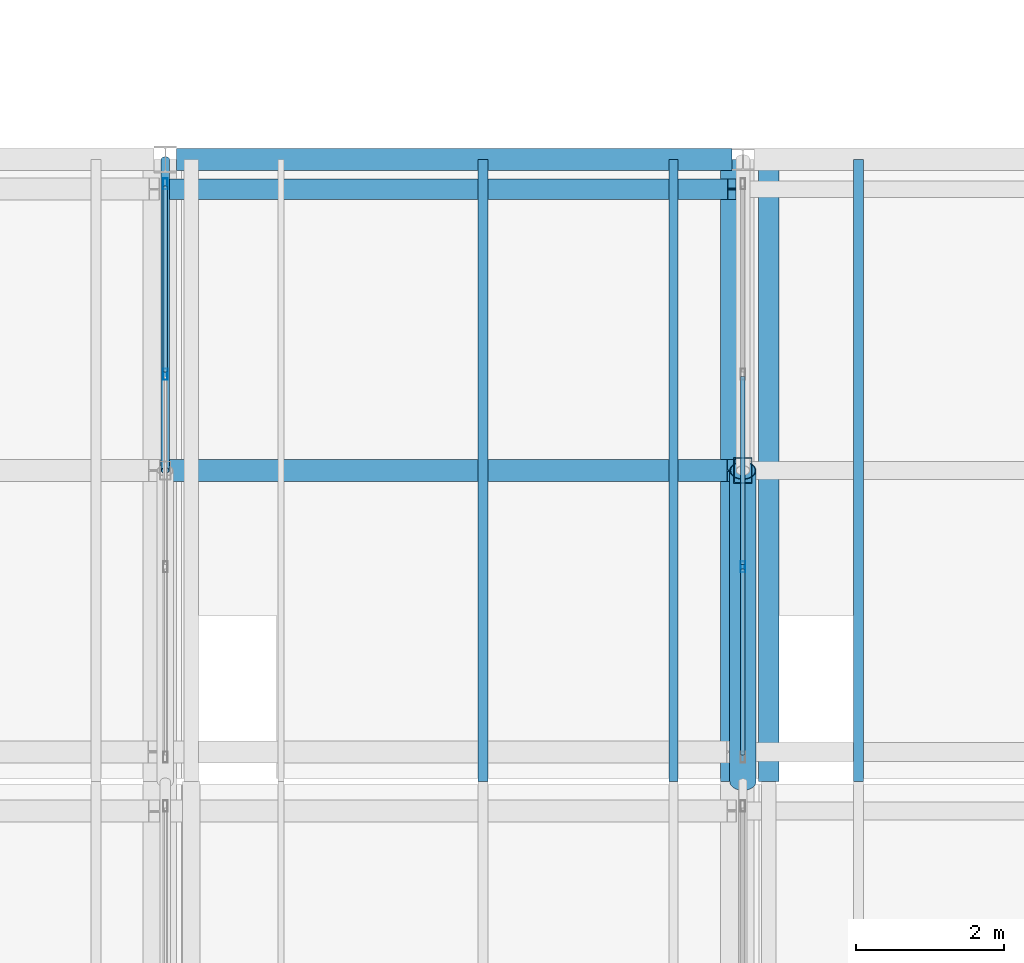
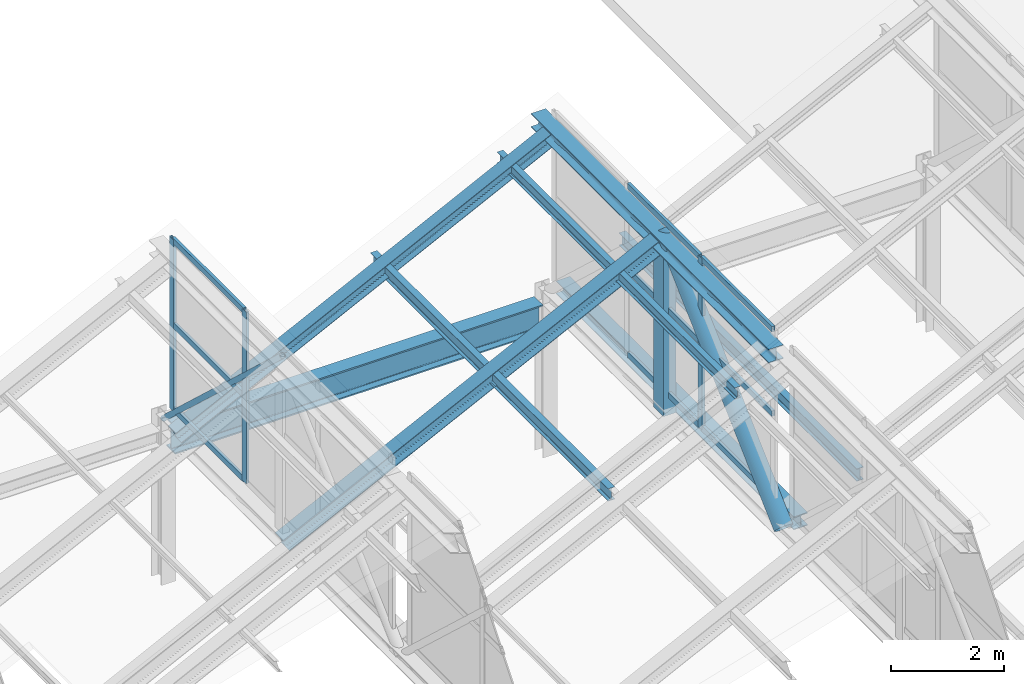
# One storey, part 42 of 101: 22 members, 1 beam, 2 elements without a shape of their own.
"""IFC4 building model written with IfcOpenShell, lengths in metres."""

from ifc_helpers import new_model, si_unit, direction, frame, origin, origin_2d, place, context, subcontext, project, spatial, hollow_rectangle, hollow_circle, i_section, extrude, material, layer, layer_set, material_profile, profile_set, type_object, element, aggregate, save


model = new_model("IFC4")

# Units and contexts
model_context = context("Model", 3, precision=1e-05, world=origin(), true_north=direction((0.0, 1.0)))
body_context = subcontext(model_context, "Body", "Model", "MODEL_VIEW")
ifc_project = project(units=[si_unit("LENGTHUNIT", "METRE"), si_unit("AREAUNIT", "SQUARE_METRE"), si_unit("VOLUMEUNIT", "CUBIC_METRE"), si_unit("PLANEANGLEUNIT", "RADIAN"), si_unit("MASSUNIT", "GRAM", prefix="KILO")], contexts=[model_context])

# Site, building, storey
site_placement = place(None, origin())
site = spatial("IfcSite", under=ifc_project, at=site_placement, CompositionType="ELEMENT")
building_placement = place(site_placement, origin())
building = spatial("IfcBuilding", under=site, at=building_placement, Name="Zizhar Promenade General Hospital", CompositionType="ELEMENT")
storey_placement = place(building_placement, frame((0.0, 0.0, 14.39990234375)))
storey = spatial("IfcBuildingStorey", under=building, at=storey_placement, Name="L03", CompositionType="ELEMENT", Elevation=14.39990234375)

# Beam
ifc_material_1 = material(Name="Steel S355", Category="steel")
ifc_material_profile_1 = material_profile(ifc_material_1, i_section(OverallWidth=0.300048828125, OverallDepth=0.60009765625, WebThickness=0.015380859375, FlangeThickness=0.030029296875, FilletRadius=0.027099609375, at=origin_2d()))
ifc_profile_set_1 = profile_set([ifc_material_profile_1], Name="Steel S355")
beam_type = type_object("IfcBeamType", Name="BM-STL-HEB600", PredefinedType="BEAM", material=ifc_profile_set_1)
beam_placement = place(storey_placement, frame((109.35009765625, 50.39990234375, 3.010009765625), z_axis=(1.0, 0.0, 0.0), x_axis=(0.0, 1.0, 0.0)))
element("IfcBeam", 1, at=beam_placement, inside=storey, type_object=beam_type, Name="Grid Beam X L03 (14-6)", PredefinedType="BEAM", context=body_context, shape_type="SweptSolid", body=[
    extrude(i_section(OverallWidth=0.300048828125, OverallDepth=0.60009765625, WebThickness=0.015380859375, FlangeThickness=0.030029296875, FilletRadius=0.027099609375, at=origin_2d()), origin(), (0.0, 0.0, 1.0), 7.5),
])

# Curtain wall, members
ifc_material_2 = material(Name="Anodised aluminium 6063-T6 and low-E glass", Category="aluminium")
ifc_layer = layer(ifc_material_2, 0.159912109375)
ifc_layer_set = layer_set([ifc_layer], Name="Anodised aluminium 6063-T6 and low-E glass")
curtain_wall_type = type_object("IfcCurtainWallType", Name="CW-SAW-NL3", PredefinedType="NOTDEFINED", material=ifc_layer_set)
curtain_wall_1_placement = place(storey_placement, origin())
curtain_wall_1 = element("IfcCurtainWall", 2, at=curtain_wall_1_placement, inside=storey, type_object=curtain_wall_type, Name="Sawtooth Clerestory Light B5-S3", PredefinedType="NOTDEFINED")
ifc_material_3 = material(Name="Anodised aluminium 6063-T6", Category="aluminium")
ifc_material_profile_2 = material_profile(ifc_material_3, hollow_rectangle(XDim=0.06005859375, YDim=0.14990234375, WallThickness=0.00390625, at=origin_2d()))
ifc_profile_set_2 = profile_set([ifc_material_profile_2], Name="Anodised aluminium 6063-T6")
member_type_1 = type_object("IfcMemberType", Name="CWM-ALU-150x60", PredefinedType="MULLION", material=ifc_profile_set_2)
member_1_placement = place(storey_placement, frame((109.199951171875, 47.5, 3.85009765625), z_axis=(0.0, 0.0, 1.0), x_axis=(-1.0, 0.0, 0.0)))
member_1 = element("IfcMember", 3, at=member_1_placement, type_object=member_type_1, Name="CW-05 mullion 3", PredefinedType="MULLION", context=body_context, shape_type="SweptSolid", body=[
    extrude(hollow_rectangle(XDim=0.06005859375, YDim=0.14990234375, WallThickness=0.00390625, at=origin_2d()), origin(), (0.0, 0.0, 1.0), 3.699951171875),
])
member_2_placement = place(storey_placement, frame((109.199951171875, 50.070068359375, 3.85009765625), z_axis=(0.0, 0.0, 1.0), x_axis=(-1.0, 0.0, 0.0)))
member_2 = element("IfcMember", 4, at=member_2_placement, type_object=member_type_1, Name="CW-05 mullion 4", PredefinedType="MULLION", context=body_context, shape_type="SweptSolid", body=[
    extrude(hollow_rectangle(XDim=0.06005859375, YDim=0.14990234375, WallThickness=0.00390625, at=origin_2d()), origin(), (0.0, 0.0, 1.0), 3.699951171875),
])

# Curtain wall, member
curtain_wall_2_placement = place(storey_placement, origin())
curtain_wall_2 = element("IfcCurtainWall", 5, at=curtain_wall_2_placement, inside=storey, type_object=curtain_wall_type, Name="Sawtooth Clerestory Light B6-S3", PredefinedType="NOTDEFINED")
member_3_placement = place(storey_placement, frame((117.0, 44.89990234375, 3.85009765625), z_axis=(0.0, 0.0, 1.0), x_axis=(-1.0, 0.0, 0.0)))
member_3 = element("IfcMember", 6, at=member_3_placement, type_object=member_type_1, Name="CW-05 mullion 2", PredefinedType="MULLION", context=body_context, shape_type="SweptSolid", body=[
    extrude(hollow_rectangle(XDim=0.06005859375, YDim=0.14990234375, WallThickness=0.00390625, at=origin_2d()), origin(), (0.0, 0.0, 1.0), 3.699951171875),
])

# Member
ifc_material_4 = material(Name="Anodised aluminium 6063-T6", Category="aluminium")
ifc_material_profile_3 = material_profile(ifc_material_4, hollow_rectangle(XDim=0.06005859375, YDim=0.1201171875, WallThickness=0.00390625, at=origin_2d()))
ifc_profile_set_3 = profile_set([ifc_material_profile_3], Name="Anodised aluminium 6063-T6")
member_type_2 = type_object("IfcMemberType", Name="CWT-ALU-120x60", PredefinedType="USERDEFINED", material=ifc_profile_set_3)
member_4_placement = place(storey_placement, frame((109.199951171875, 47.530029296875, 3.880126953125), z_axis=(0.0, 1.0, 0.0), x_axis=(-1.0, 0.0, 0.0)))
member_4 = element("IfcMember", 7, at=member_4_placement, type_object=member_type_2, Name="CW-05 transom 3.1", ObjectType="TRANSOM", PredefinedType="USERDEFINED", context=body_context, shape_type="SweptSolid", body=[
    extrude(hollow_rectangle(XDim=0.06005859375, YDim=0.1201171875, WallThickness=0.00390625, at=origin_2d()), origin(), (0.0, 0.0, 1.0), 2.510009765625),
])

member_5_placement = place(storey_placement, frame((109.199951171875, 47.530029296875, 5.7001953125), z_axis=(0.0, 1.0, 0.0), x_axis=(-1.0, 0.0, 0.0)))
member_5 = element("IfcMember", 8, at=member_5_placement, type_object=member_type_2, Name="CW-05 transom 3.2", ObjectType="TRANSOM", PredefinedType="USERDEFINED", context=body_context, shape_type="SweptSolid", body=[
    extrude(hollow_rectangle(XDim=0.06005859375, YDim=0.1201171875, WallThickness=0.00390625, at=origin_2d()), origin(), (0.0, 0.0, 1.0), 2.510009765625),
])

member_6_placement = place(storey_placement, frame((109.199951171875, 47.530029296875, 7.52001953125), z_axis=(0.0, 1.0, 0.0), x_axis=(-1.0, 0.0, 0.0)))
member_6 = element("IfcMember", 9, at=member_6_placement, type_object=member_type_2, Name="CW-05 transom 3.3", ObjectType="TRANSOM", PredefinedType="USERDEFINED", context=body_context, shape_type="SweptSolid", body=[
    extrude(hollow_rectangle(XDim=0.06005859375, YDim=0.1201171875, WallThickness=0.00390625, at=origin_2d()), origin(), (0.0, 0.0, 1.0), 2.510009765625),
])

aggregate(curtain_wall_1, [member_1, member_2, member_4, member_5, member_6])

member_7_placement = place(storey_placement, frame((117.0, 42.360107421875, 3.880126953125), z_axis=(0.0, 1.0, 0.0), x_axis=(-1.0, 0.0, 0.0)))
member_7 = element("IfcMember", 10, at=member_7_placement, type_object=member_type_2, Name="CW-05 transom 1.1", ObjectType="TRANSOM", PredefinedType="USERDEFINED", context=body_context, shape_type="SweptSolid", body=[
    extrude(hollow_rectangle(XDim=0.06005859375, YDim=0.1201171875, WallThickness=0.00390625, at=origin_2d()), origin(), (0.0, 0.0, 1.0), 2.510009765625),
])

member_8_placement = place(storey_placement, frame((117.0, 42.360107421875, 5.7001953125), z_axis=(0.0, 1.0, 0.0), x_axis=(-1.0, 0.0, 0.0)))
member_8 = element("IfcMember", 11, at=member_8_placement, type_object=member_type_2, Name="CW-05 transom 1.2", ObjectType="TRANSOM", PredefinedType="USERDEFINED", context=body_context, shape_type="SweptSolid", body=[
    extrude(hollow_rectangle(XDim=0.06005859375, YDim=0.1201171875, WallThickness=0.00390625, at=origin_2d()), origin(), (0.0, 0.0, 1.0), 2.510009765625),
])

member_9_placement = place(storey_placement, frame((117.0, 42.360107421875, 7.52001953125), z_axis=(0.0, 1.0, 0.0), x_axis=(-1.0, 0.0, 0.0)))
member_9 = element("IfcMember", 12, at=member_9_placement, type_object=member_type_2, Name="CW-05 transom 1.3", ObjectType="TRANSOM", PredefinedType="USERDEFINED", context=body_context, shape_type="SweptSolid", body=[
    extrude(hollow_rectangle(XDim=0.06005859375, YDim=0.1201171875, WallThickness=0.00390625, at=origin_2d()), origin(), (0.0, 0.0, 1.0), 2.510009765625),
])

member_10_placement = place(storey_placement, frame((117.0, 44.929931640625, 3.880126953125), z_axis=(0.0, 1.0, 0.0), x_axis=(-1.0, 0.0, 0.0)))
member_10 = element("IfcMember", 13, at=member_10_placement, type_object=member_type_2, Name="CW-05 transom 2.1", ObjectType="TRANSOM", PredefinedType="USERDEFINED", context=body_context, shape_type="SweptSolid", body=[
    extrude(hollow_rectangle(XDim=0.06005859375, YDim=0.1201171875, WallThickness=0.00390625, at=origin_2d()), origin(), (0.0, 0.0, 1.0), 2.5400390625),
])

member_11_placement = place(storey_placement, frame((117.0, 44.929931640625, 5.7001953125), z_axis=(0.0, 1.0, 0.0), x_axis=(-1.0, 0.0, 0.0)))
member_11 = element("IfcMember", 14, at=member_11_placement, type_object=member_type_2, Name="CW-05 transom 2.2", ObjectType="TRANSOM", PredefinedType="USERDEFINED", context=body_context, shape_type="SweptSolid", body=[
    extrude(hollow_rectangle(XDim=0.06005859375, YDim=0.1201171875, WallThickness=0.00390625, at=origin_2d()), origin(), (0.0, 0.0, 1.0), 2.5400390625),
])

member_12_placement = place(storey_placement, frame((117.0, 44.929931640625, 7.52001953125), z_axis=(0.0, 1.0, 0.0), x_axis=(-1.0, 0.0, 0.0)))
member_12 = element("IfcMember", 15, at=member_12_placement, type_object=member_type_2, Name="CW-05 transom 2.3", ObjectType="TRANSOM", PredefinedType="USERDEFINED", context=body_context, shape_type="SweptSolid", body=[
    extrude(hollow_rectangle(XDim=0.06005859375, YDim=0.1201171875, WallThickness=0.00390625, at=origin_2d()), origin(), (0.0, 0.0, 1.0), 2.5400390625),
])

aggregate(curtain_wall_2, [member_3, member_7, member_8, member_9, member_10, member_11, member_12])

# Members
ifc_material_5 = material(Name="Steel S355", Category="steel")
ifc_material_profile_4 = material_profile(ifc_material_5, hollow_circle(Radius=0.05712890625, WallThickness=0.00634765625, at=origin_2d()))
ifc_profile_set_4 = profile_set([ifc_material_profile_4], Name="Steel S355")
member_type_3 = type_object("IfcMemberType", Name="MEM-BRACE-CHS114", PredefinedType="BRACE", material=ifc_profile_set_4)
member_13_placement = place(storey_placement, frame((109.199951171875, 50.39990234375, 3.4501953125), z_axis=(0.0, -0.732798043082, 0.680446197767), x_axis=(1.0, 0.0, 0.0)))
element("IfcMember", 16, at=member_13_placement, inside=storey, type_object=member_type_3, Name="Sawtooth Truss Frame 6 Diagonal B3", PredefinedType="BRACE", context=body_context, shape_type="SweptSolid", body=[
    extrude(hollow_circle(Radius=0.05712890625, WallThickness=0.00634765625, at=origin_2d()), origin(), (0.0, 0.0, 1.0), 5.7314453125),
])
ifc_material_6 = material(Name="Steel S355", Category="steel")
ifc_material_profile_5 = material_profile(ifc_material_6, i_section(OverallWidth=0.280029296875, OverallDepth=0.280029296875, WebThickness=0.010498046875, FlangeThickness=0.01806640625, FilletRadius=0.02392578125, at=origin_2d()))
ifc_profile_set_5 = profile_set([ifc_material_profile_5], Name="Steel S355")
member_type_4 = type_object("IfcMemberType", Name="MEM-CHORD-HEB280", PredefinedType="CHORD", material=ifc_profile_set_5)
member_14_placement = place(storey_placement, frame((117.35009765625, 42.0, 3.47021484375), z_axis=(0.0, 1.0, 0.0), x_axis=(-1.0, 0.0, 0.0)))
element("IfcMember", 17, at=member_14_placement, inside=storey, type_object=member_type_4, Name="Sawtooth Bay 7 Valley Tie 3", PredefinedType="CHORD", context=body_context, shape_type="SweptSolid", body=[
    extrude(i_section(OverallWidth=0.280029296875, OverallDepth=0.280029296875, WebThickness=0.010498046875, FlangeThickness=0.01806640625, FilletRadius=0.02392578125, at=origin_2d()), origin(), (0.0, 0.0, 1.0), 8.39990234375),
])
ifc_material_7 = material(Name="Steel S355", Category="steel")
ifc_material_profile_6 = material_profile(ifc_material_7, i_section(OverallWidth=0.300048828125, OverallDepth=0.300048828125, WebThickness=0.010986328125, FlangeThickness=0.01904296875, FilletRadius=0.027099609375, at=origin_2d()))
ifc_profile_set_6 = profile_set([ifc_material_profile_6], Name="Steel S355")
member_type_5 = type_object("IfcMemberType", Name="MEM-CHORD-HEB300", PredefinedType="CHORD", material=ifc_profile_set_6)
member_15_placement = place(storey_placement, frame((116.85009765625, 42.0, 7.25), z_axis=(0.0, 1.0, 0.0), x_axis=(-1.0, 0.0, 0.0)))
element("IfcMember", 18, at=member_15_placement, inside=storey, type_object=member_type_5, Name="Sawtooth Bay 6 Ridge Chord 3", PredefinedType="CHORD", context=body_context, shape_type="SweptSolid", body=[
    extrude(i_section(OverallWidth=0.300048828125, OverallDepth=0.300048828125, WebThickness=0.010986328125, FlangeThickness=0.01904296875, FilletRadius=0.027099609375, at=origin_2d()), origin(), (0.0, 0.0, 1.0), 8.39990234375),
])
ifc_material_8 = material(Name="Steel S355", Category="steel")
ifc_material_profile_7 = material_profile(ifc_material_8, hollow_circle(Radius=0.177734375, WallThickness=0.012451171875, at=origin_2d()))
ifc_profile_set_7 = profile_set([ifc_material_profile_7], Name="Steel S355")
member_type_6 = type_object("IfcMemberType", Name="MEM-DIAG-CHS356", PredefinedType="BRACE", material=ifc_profile_set_7)
member_16_placement = place(storey_placement, frame((117.0, 42.0, 3.4501953125), z_axis=(0.0, 0.732798043082, 0.680446197767), x_axis=(-1.0, 0.0, 0.0)))
element("IfcMember", 19, at=member_16_placement, inside=storey, type_object=member_type_6, Name="Sawtooth Truss Frame 7 Diagonal A3", PredefinedType="BRACE", context=body_context, shape_type="SweptSolid", body=[
    extrude(hollow_circle(Radius=0.177734375, WallThickness=0.012451171875, at=origin_2d()), origin(), (0.0, 0.0, 1.0), 5.7314453125),
])
ifc_material_9 = material(Name="Steel S355", Category="steel")
ifc_material_profile_8 = material_profile(ifc_material_9, i_section(OverallWidth=0.1201171875, OverallDepth=0.239990234375, WebThickness=0.006103515625, FlangeThickness=0.009765625, FilletRadius=0.014892578125, at=origin_2d()))
ifc_profile_set_8 = profile_set([ifc_material_profile_8], Name="Steel S355")
member_type_7 = type_object("IfcMemberType", Name="MEM-PURL-IPE240", PredefinedType="PURLIN", material=ifc_profile_set_8)
member_17_placement = place(storey_placement, frame((116.06396484375, 42.0, 6.695068359375), z_axis=(0.0, 1.0, 0.0), x_axis=(-1.0, 0.0, 0.0)))
element("IfcMember", 20, at=member_17_placement, inside=storey, type_object=member_type_7, Name="Sawtooth Bay 6 Purlin 3-3", PredefinedType="PURLIN", context=body_context, shape_type="SweptSolid", body=[
    extrude(i_section(OverallWidth=0.1201171875, OverallDepth=0.239990234375, WebThickness=0.006103515625, FlangeThickness=0.009765625, FilletRadius=0.014892578125, at=origin_2d()), origin(), (0.0, 0.0, 1.0), 8.39990234375),
])
ifc_material_10 = material(Name="Steel S355", Category="steel")
ifc_material_profile_9 = material_profile(ifc_material_10, i_section(OverallWidth=0.135009765625, OverallDepth=0.27001953125, WebThickness=0.006591796875, FlangeThickness=0.01025390625, FilletRadius=0.014892578125, at=origin_2d()))
ifc_profile_set_9 = profile_set([ifc_material_profile_9], Name="Steel S355")
member_type_8 = type_object("IfcMemberType", Name="MEM-PURL-IPE270", PredefinedType="PURLIN", material=ifc_profile_set_9)
for number, where, z_axis, x_axis, name in (
    (21, (113.489990234375, 42.0, 5.40966796875), (0.0, 1.0, 0.0), (-1.0, 0.0, 0.0), "Sawtooth Bay 6 Purlin 3-2"),
    (22, (118.56005859375, 42.0, 4.06201171875), (0.0, 1.0, 0.0), (-1.0, 0.0, 0.0), "Sawtooth Bay 7 Purlin 3-1"),
):
    element("IfcMember", number, at=place(storey_placement, frame(where, z_axis=z_axis, x_axis=x_axis)), inside=storey, type_object=member_type_8, Name=name, PredefinedType="PURLIN", context=body_context, shape_type="SweptSolid", body=[
        extrude(i_section(OverallWidth=0.135009765625, OverallDepth=0.27001953125, WebThickness=0.006591796875, FlangeThickness=0.01025390625, FilletRadius=0.014892578125, at=origin_2d()), origin(), (0.0, 0.0, 1.0), 8.39990234375),
    ])
ifc_material_11 = material(Name="Steel S355", Category="steel")
ifc_material_profile_10 = material_profile(ifc_material_11, i_section(OverallWidth=0.280029296875, OverallDepth=0.27001953125, WebThickness=0.008056640625, FlangeThickness=0.012939453125, FilletRadius=0.02392578125, at=origin_2d()))
ifc_profile_set_10 = profile_set([ifc_material_profile_10], Name="Steel S355")
member_type_9 = type_object("IfcMemberType", Name="MEM-RAFT-HEA280", PredefinedType="RAFTER", material=ifc_profile_set_10)
member_18_placement = place(storey_placement, frame((109.199951171875, 50.0, 3.3427734375), z_axis=(0.896721845806, 0.0, 0.442594544989), x_axis=(0.0, 1.0, 0.0)))
element("IfcMember", 23, at=member_18_placement, inside=storey, type_object=member_type_9, Name="Sawtooth Bay 6 Rafter 3-3", PredefinedType="RAFTER", context=body_context, shape_type="SweptSolid", body=[
    extrude(i_section(OverallWidth=0.280029296875, OverallDepth=0.27001953125, WebThickness=0.008056640625, FlangeThickness=0.012939453125, FilletRadius=0.02392578125, at=origin_2d()), origin(), (0.0, 0.0, 1.0), 8.53125),
])
ifc_material_12 = material(Name="Steel S355", Category="steel")
ifc_material_profile_11 = material_profile(ifc_material_12, i_section(OverallWidth=0.300048828125, OverallDepth=0.2900390625, WebThickness=0.008544921875, FlangeThickness=0.013916015625, FilletRadius=0.027099609375, at=origin_2d()))
ifc_profile_set_11 = profile_set([ifc_material_profile_11], Name="Steel S355")
member_type_10 = type_object("IfcMemberType", Name="MEM-RAFT-HEA300", PredefinedType="RAFTER", material=ifc_profile_set_11)
member_19_placement = place(storey_placement, frame((109.199951171875, 46.199951171875, 3.33154296875), z_axis=(0.896721845806, 0.0, 0.442594544989), x_axis=(0.0, 1.0, 0.0)))
element("IfcMember", 24, at=member_19_placement, inside=storey, type_object=member_type_10, Name="Sawtooth Bay 6 Rafter 3-2", PredefinedType="RAFTER", context=body_context, shape_type="SweptSolid", body=[
    extrude(i_section(OverallWidth=0.300048828125, OverallDepth=0.2900390625, WebThickness=0.008544921875, FlangeThickness=0.013916015625, FilletRadius=0.027099609375, at=origin_2d()), origin(), (0.0, 0.0, 1.0), 8.53125),
])
ifc_material_13 = material(Name="Steel S355", Category="steel")
ifc_material_profile_12 = material_profile(ifc_material_13, hollow_rectangle(XDim=0.25, YDim=0.35009765625, WallThickness=0.010009765625, at=origin_2d()))
ifc_profile_set_12 = profile_set([ifc_material_profile_12], Name="Steel S355")
member_type_11 = type_object("IfcMemberType", Name="MEM-STRUT-RHS350", PredefinedType="STRUT", material=ifc_profile_set_12)
member_20_placement = place(storey_placement, frame((117.0, 46.199951171875, 3.4501953125), z_axis=(0.0, 0.0, 1.0), x_axis=(1.0, 0.0, 0.0)))
element("IfcMember", 25, at=member_20_placement, inside=storey, type_object=member_type_11, Name="Sawtooth Truss Frame 7 Vertical Post 3", PredefinedType="STRUT", context=body_context, shape_type="SweptSolid", body=[
    extrude(hollow_rectangle(XDim=0.25, YDim=0.35009765625, WallThickness=0.010009765625, at=origin_2d()), origin(), (0.0, 0.0, 1.0), 3.89990234375),
])

save(model, "model.ifc")
